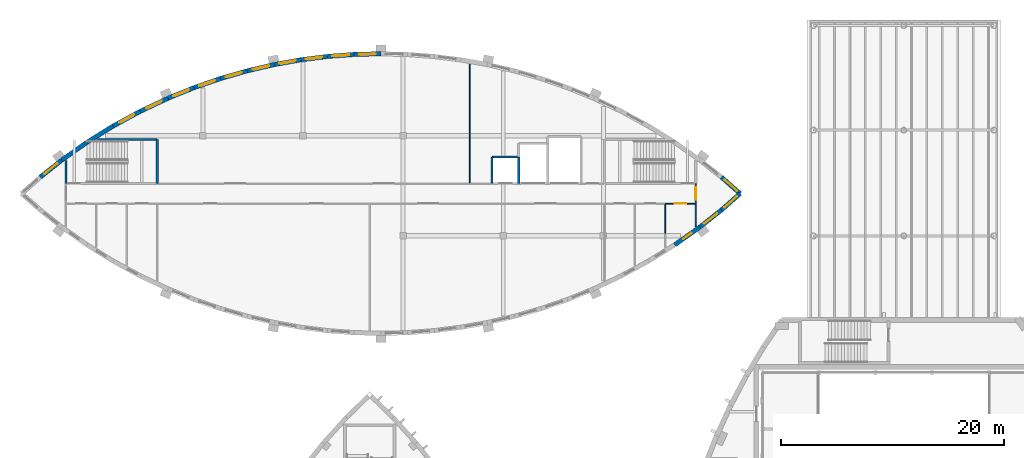
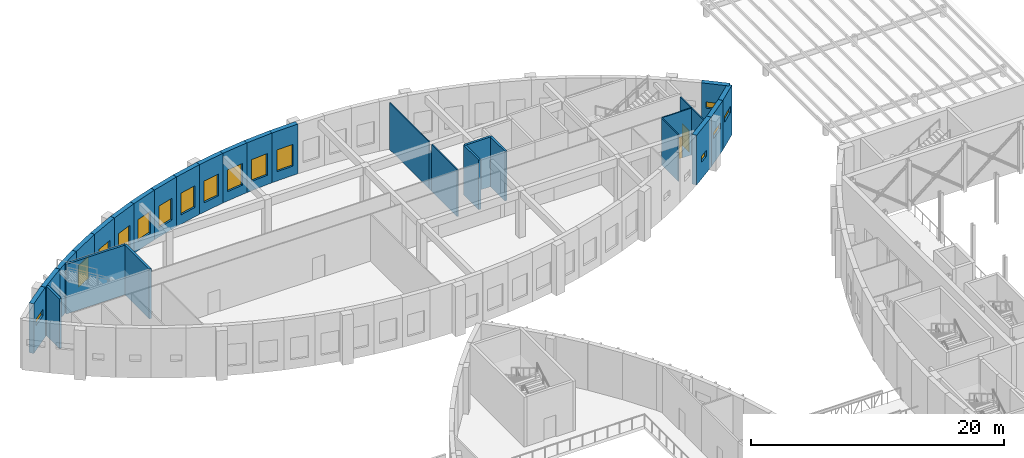
# One storey, part 67 of 93: 30 walls, 15 windows, 2 doors, 17 openings.
"""IFC4 building model written with IfcOpenShell, lengths in metres."""

from ifc_helpers import new_model, si_unit, direction, frame, frame_2d, origin, place, context, subcontext, project, spatial, rectangle, extrude, material, layer, layer_set, type_object, element, fill, save


model = new_model("IFC4")

# Units and contexts
model_context = context("Model", 3, precision=1e-05, world=origin(), true_north=direction((0.0, 1.0)))
body_context = subcontext(model_context, "Body", "Model", "MODEL_VIEW")
ifc_project = project(units=[si_unit("LENGTHUNIT", "METRE"), si_unit("AREAUNIT", "SQUARE_METRE"), si_unit("VOLUMEUNIT", "CUBIC_METRE"), si_unit("PLANEANGLEUNIT", "RADIAN"), si_unit("MASSUNIT", "GRAM", prefix="KILO")], contexts=[model_context])

# Site, building, storey
site_placement = place(None, origin())
site = spatial("IfcSite", under=ifc_project, at=site_placement, CompositionType="ELEMENT")
building_placement = place(site_placement, origin())
building = spatial("IfcBuilding", under=site, at=building_placement, Name="Tide Square Theatres", CompositionType="ELEMENT")
storey_placement = place(building_placement, frame((0.0, 0.0, 5.39990234375)))
storey = spatial("IfcBuildingStorey", under=building, at=storey_placement, Name="L01", CompositionType="ELEMENT", Elevation=5.39990234375)

# Walls
ifc_material_1 = material(Name="Gypsum board on steel studs", Category="steel")
ifc_layer_1 = layer(ifc_material_1, 0.10009765625)
ifc_layer_set_1 = layer_set([ifc_layer_1], Name="Gypsum board on steel studs")
wall_type_1 = type_object("IfcWallType", Name="Partition 100 thick", PredefinedType="PARTITIONING", material=ifc_layer_set_1)
wall_1_placement = place(storey_placement, frame((45.0, 109.4267578125, 0.0), z_axis=(0.0, 0.0, 1.0), x_axis=(0.0, -1.0, 0.0)))
element("IfcWall", 1, at=wall_1_placement, inside=storey, type_object=wall_type_1, Name="Scenery Workshops partition", PredefinedType="PARTITIONING", context=body_context, shape_type="SweptSolid", body=[
    extrude(rectangle(XDim=6.226806640625, YDim=0.10009765625, at=frame_2d((3.11328125, 0.0))), origin(), (0.0, 0.0, 1.0), 4.52001953125),
])
wall_2_placement = place(storey_placement, frame((45.0, 103.199951171875, 0.0), z_axis=(0.0, 0.0, 1.0), x_axis=(0.0, -1.0, 0.0)))
element("IfcWall", 2, at=wall_2_placement, inside=storey, type_object=wall_type_1, Name="Scenery Workshops partition", PredefinedType="PARTITIONING", context=body_context, shape_type="SweptSolid", body=[
    extrude(rectangle(XDim=0.39990234375, YDim=0.10009765625, at=frame_2d((0.199951171875, 0.0))), origin(), (0.0, 0.0, 1.0), 3.72021484375),
])
wall_3_placement = place(storey_placement, frame((45.0, 102.800048828125, 0.0), z_axis=(0.0, 0.0, 1.0), x_axis=(0.0, -1.0, 0.0)))
element("IfcWall", 3, at=wall_3_placement, inside=storey, type_object=wall_type_1, Name="Scenery Workshops partition", PredefinedType="PARTITIONING", context=body_context, shape_type="SweptSolid", body=[
    extrude(rectangle(XDim=4.070068359375, YDim=0.10009765625, at=frame_2d((2.03515625, 0.0))), origin(), (0.0, 0.0, 1.0), 4.52001953125),
])
wall_4_placement = place(storey_placement, frame((62.566650390625, 96.860107421875, 0.0), z_axis=(0.0, 0.0, 1.0), x_axis=(0.0, -1.0, 0.0)))
element("IfcWall", 4, at=wall_4_placement, inside=storey, type_object=wall_type_1, Name="Scenery Workshops partition", PredefinedType="PARTITIONING", context=body_context, shape_type="SweptSolid", body=[
    extrude(rectangle(XDim=2.66015625, YDim=0.10009765625, at=frame_2d((1.330078125, 0.0))), origin(), (0.0, 0.0, 1.0), 4.52001953125),
])

# Wall, opening, door
wall_5_placement = place(storey_placement, frame((65.300048828125, 96.89990234375, 0.0), z_axis=(0.0, 0.0, 1.0), x_axis=(-1.0, 0.0, 0.0)))
wall_5 = element("IfcWall", 5, at=wall_5_placement, inside=storey, type_object=wall_type_1, Name="Scenery Workshops partition", PredefinedType="PARTITIONING", context=body_context, shape_type="SweptSolid", body=[
    extrude(rectangle(XDim=2.7333984375, YDim=0.10009765625, at=frame_2d((1.36669921875, 0.0))), origin(), (0.0, 0.0, 1.0), 4.52001953125),
])
opening_1_placement = place(wall_5_placement, frame((0.86669921875, 0.0, 0.0)))
opening_1 = element("IfcOpeningElement", 6, at=opening_1_placement, cuts=wall_5, Name="Opening W1-06", PredefinedType="OPENING", context=body_context, shape_type="SweptSolid", body=[
    extrude(rectangle(XDim=1.0, YDim=2.10009765625, at=frame_2d((0.5, 1.050048828125))), frame((0.0, 0.06005859375, 0.0), z_axis=(0.0, -1.0, 0.0), x_axis=(1.0, 0.0, 0.0)), (0.0, 0.0, 1.0), 0.1201171875),
])
ifc_material_2 = material(Name="Hardwood timber", Category="wood")
door_type_1 = type_object("IfcDoorType", Name="Door 1000 x 2100 single leaf", OperationType="NOTDEFINED", PredefinedType="DOOR", material=ifc_material_2)
door_1_placement = place(opening_1_placement, origin())
door_1 = element("IfcDoor", 7, at=door_1_placement, inside=storey, type_object=door_type_1, Name="Scenery Workshops door W1-06 to Accessible WC E", OperationType="SINGLE_SWING_RIGHT", OverallHeight=2.10009765625, OverallWidth=1.0, PredefinedType="DOOR", context=body_context, shape_type="SweptSolid", body=[
    extrude(rectangle(XDim=1.0, YDim=2.10009765625, at=frame_2d((0.5, 1.050048828125))), frame((0.0, 0.02490234375, 0.0), z_axis=(0.0, -1.0, 0.0), x_axis=(1.0, 0.0, 0.0)), (0.0, 0.0, 1.0), 0.050048828125),
])
fill(opening_1, door_1)

# Wall
wall_6_placement = place(storey_placement, frame((65.300048828125, 96.8701171875, 0.0), z_axis=(0.0, 0.0, 1.0), x_axis=(0.0, -1.0, 0.0)))
element("IfcWall", 8, at=wall_6_placement, inside=storey, type_object=wall_type_1, Name="Scenery Workshops partition", PredefinedType="PARTITIONING", context=body_context, shape_type="SweptSolid", body=[
    extrude(rectangle(XDim=2.041015625, YDim=0.10009765625, at=frame_2d((1.0205078125, 0.0))), origin(), (0.0, 0.0, 1.0), 4.52001953125),
])

# Wall, opening, door
wall_7_placement = place(storey_placement, frame((65.300048828125, 98.669921875, 0.0), z_axis=(0.0, 0.0, 1.0), x_axis=(0.0, -1.0, 0.0)))
wall_7 = element("IfcWall", 9, at=wall_7_placement, inside=storey, type_object=wall_type_1, Name="Scenery Workshops partition", PredefinedType="PARTITIONING", context=body_context, shape_type="SweptSolid", body=[
    extrude(rectangle(XDim=1.77001953125, YDim=0.10009765625, at=frame_2d((0.885009765625, 0.0))), origin(), (0.0, 0.0, 1.0), 4.52001953125),
])
opening_2_placement = place(wall_7_placement, frame((0.320068359375, 0.0, 0.0)))
opening_2 = element("IfcOpeningElement", 10, at=opening_2_placement, cuts=wall_7, Name="Opening W1-08", PredefinedType="OPENING", context=body_context, shape_type="SweptSolid", body=[
    extrude(rectangle(XDim=1.10009765625, YDim=2.10009765625, at=frame_2d((0.550048828125, 1.050048828125))), frame((0.0, 0.06005859375, 0.0), z_axis=(0.0, -1.0, 0.0), x_axis=(1.0, 0.0, 0.0)), (0.0, 0.0, 1.0), 0.1201171875),
])
ifc_material_3 = material(Name="Painted steel", Category="steel")
door_type_2 = type_object("IfcDoorType", Name="Door 1100 x 2100 single leaf", OperationType="NOTDEFINED", PredefinedType="DOOR", material=ifc_material_3)
door_2_placement = place(opening_2_placement, origin())
door_2 = element("IfcDoor", 11, at=door_2_placement, inside=storey, type_object=door_type_2, Name="Scenery Workshops door W1-08 to Plant Room E", OperationType="SINGLE_SWING_RIGHT", OverallHeight=2.10009765625, OverallWidth=1.10009765625, PredefinedType="DOOR", context=body_context, shape_type="SweptSolid", body=[
    extrude(rectangle(XDim=1.10009765625, YDim=2.10009765625, at=frame_2d((0.550048828125, 1.050048828125))), frame((0.0, 0.02490234375, 0.0), z_axis=(0.0, -1.0, 0.0), x_axis=(1.0, 0.0, 0.0)), (0.0, 0.0, 1.0), 0.050048828125),
])
fill(opening_2, door_2)

# Wall, opening, window
ifc_material_4 = material(Name="Concrete C40", Category="concrete")
ifc_layer_2 = layer(ifc_material_4, 0.39990234375)
ifc_layer_set_2 = layer_set([ifc_layer_2], Name="Concrete C40")
wall_type_2 = type_object("IfcWallType", Name="RC curved wall 400 thick", PredefinedType="SOLIDWALL", material=ifc_layer_set_2)
wall_8_placement = place(storey_placement, frame((63.415283203125, 93.193115234375, 0.0), z_axis=(0.0, 0.0, 1.0), x_axis=(0.817028877428, 0.576596751161, 0.0)))
wall_8 = element("IfcWall", 12, at=wall_8_placement, inside=storey, type_object=wall_type_2, Name="Scenery Workshops perimeter wall 025", PredefinedType="SOLIDWALL", context=body_context, shape_type="SweptSolid", body=[
    extrude(rectangle(XDim=2.772216796875, YDim=0.39990234375, at=frame_2d((1.38623046875, 0.0))), origin(), (0.0, 0.0, 1.0), 4.800048828125),
])
opening_3_placement = place(wall_8_placement, frame((0.93603515625, 0.0, 1.60009765625)))
opening_3 = element("IfcOpeningElement", 13, at=opening_3_placement, cuts=wall_8, Name="Opening WN-12", PredefinedType="OPENING", context=body_context, shape_type="SweptSolid", body=[
    extrude(rectangle(XDim=0.89990234375, YDim=0.60009765625, at=frame_2d((0.449951171875, 0.300048828125))), frame((0.0, 0.2099609375, 0.0), z_axis=(0.0, -1.0, 0.0), x_axis=(1.0, 0.0, 0.0)), (0.0, 0.0, 1.0), 0.419921875),
])
ifc_material_5 = material(Name="Aluminium with laminated glass", Category="aluminium")
window_type_1 = type_object("IfcWindowType", Name="Window 900 x 600", PartitioningType="SINGLE_PANEL", PredefinedType="WINDOW", material=ifc_material_5)
window_1_placement = place(opening_3_placement, origin())
window_1 = element("IfcWindow", 14, at=window_1_placement, inside=storey, type_object=window_type_1, Name="Scenery Workshops window L01-66", OverallHeight=0.60009765625, OverallWidth=0.89990234375, PartitioningType="SINGLE_PANEL", PredefinedType="WINDOW", context=body_context, shape_type="SweptSolid", body=[
    extrude(rectangle(XDim=0.89990234375, YDim=0.60009765625, at=frame_2d((0.449951171875, 0.300048828125))), frame((0.0, 0.030029296875, 0.0), z_axis=(0.0, -1.0, 0.0), x_axis=(1.0, 0.0, 0.0)), (0.0, 0.0, 1.0), 0.06005859375),
])
fill(opening_3, window_1)

wall_9_placement = place(storey_placement, frame((65.68017578125, 94.79150390625, 0.0), z_axis=(0.0, 0.0, 1.0), x_axis=(0.784278812541, 0.620408530082, 0.0)))
wall_9 = element("IfcWall", 15, at=wall_9_placement, inside=storey, type_object=wall_type_2, Name="Scenery Workshops perimeter wall 026", PredefinedType="SOLIDWALL", context=body_context, shape_type="SweptSolid", body=[
    extrude(rectangle(XDim=2.464111328125, YDim=0.39990234375, at=frame_2d((1.23193359375, 0.0))), origin(), (0.0, 0.0, 1.0), 4.800048828125),
])
opening_4_placement = place(wall_9_placement, frame((0.48193359375, 0.0, 2.39990234375)))
opening_4 = element("IfcOpeningElement", 16, at=opening_4_placement, cuts=wall_9, Name="Opening WN-05", PredefinedType="OPENING", context=body_context, shape_type="SweptSolid", body=[
    extrude(rectangle(XDim=1.5, YDim=0.60009765625, at=frame_2d((0.75, 0.300048828125))), frame((0.0, 0.2099609375, 0.0), z_axis=(0.0, -1.0, 0.0), x_axis=(1.0, 0.0, 0.0)), (0.0, 0.0, 1.0), 0.419921875),
])
ifc_material_6 = material(Name="Aluminium with laminated glass", Category="aluminium")
window_type_2 = type_object("IfcWindowType", Name="Window 1500 x 600", PartitioningType="SINGLE_PANEL", PredefinedType="WINDOW", material=ifc_material_6)
window_2_placement = place(opening_4_placement, origin())
window_2 = element("IfcWindow", 17, at=window_2_placement, inside=storey, type_object=window_type_2, Name="Scenery Workshops window L01-67", OverallHeight=0.60009765625, OverallWidth=1.5, PartitioningType="SINGLE_PANEL", PredefinedType="WINDOW", context=body_context, shape_type="SweptSolid", body=[
    extrude(rectangle(XDim=1.5, YDim=0.60009765625, at=frame_2d((0.75, 0.300048828125))), frame((0.0, 0.030029296875, 0.0), z_axis=(0.0, -1.0, 0.0), x_axis=(1.0, 0.0, 0.0)), (0.0, 0.0, 1.0), 0.06005859375),
])
fill(opening_4, window_2)

wall_10_placement = place(storey_placement, frame((67.61279296875, 96.3203125, 0.0), z_axis=(0.0, 0.0, 1.0), x_axis=(0.751212351098, 0.660060605973, 0.0)))
wall_10 = element("IfcWall", 18, at=wall_10_placement, inside=storey, type_object=wall_type_2, Name="Scenery Workshops perimeter wall 027", PredefinedType="SOLIDWALL", context=body_context, shape_type="SweptSolid", body=[
    extrude(rectangle(XDim=2.24169921875, YDim=0.39990234375, at=frame_2d((1.120849609375, 0.0))), origin(), (0.0, 0.0, 1.0), 4.800048828125),
])
opening_5_placement = place(wall_10_placement, frame((0.370849609375, 0.0, 2.39990234375)))
opening_5 = element("IfcOpeningElement", 19, at=opening_5_placement, cuts=wall_10, Name="Opening WN-05", PredefinedType="OPENING", context=body_context, shape_type="SweptSolid", body=[
    extrude(rectangle(XDim=1.5, YDim=0.60009765625, at=frame_2d((0.75, 0.300048828125))), frame((0.0, 0.2099609375, 0.0), z_axis=(0.0, -1.0, 0.0), x_axis=(1.0, 0.0, 0.0)), (0.0, 0.0, 1.0), 0.419921875),
])
window_3_placement = place(opening_5_placement, origin())
window_3 = element("IfcWindow", 20, at=window_3_placement, inside=storey, type_object=window_type_2, Name="Scenery Workshops window L01-68", OverallHeight=0.60009765625, OverallWidth=1.5, PartitioningType="SINGLE_PANEL", PredefinedType="WINDOW", context=body_context, shape_type="SweptSolid", body=[
    extrude(rectangle(XDim=1.5, YDim=0.60009765625, at=frame_2d((0.75, 0.300048828125))), frame((0.0, 0.030029296875, 0.0), z_axis=(0.0, -1.0, 0.0), x_axis=(1.0, 0.0, 0.0)), (0.0, 0.0, 1.0), 0.06005859375),
])
fill(opening_5, window_3)

wall_11_placement = place(storey_placement, frame((69.296875, 97.800048828125, 0.0), z_axis=(0.0, 0.0, 1.0), x_axis=(-0.751212351098, 0.660060605973, 0.0)))
wall_11 = element("IfcWall", 21, at=wall_11_placement, inside=storey, type_object=wall_type_2, Name="Scenery Workshops perimeter wall 028", PredefinedType="SOLIDWALL", context=body_context, shape_type="SweptSolid", body=[
    extrude(rectangle(XDim=2.24169921875, YDim=0.39990234375, at=frame_2d((1.120849609375, 0.0))), origin(), (0.0, 0.0, 1.0), 4.800048828125),
])
opening_6_placement = place(wall_11_placement, frame((0.370849609375, 0.0, 2.39990234375)))
opening_6 = element("IfcOpeningElement", 22, at=opening_6_placement, cuts=wall_11, Name="Opening WN-05", PredefinedType="OPENING", context=body_context, shape_type="SweptSolid", body=[
    extrude(rectangle(XDim=1.5, YDim=0.60009765625, at=frame_2d((0.75, 0.300048828125))), frame((0.0, 0.2099609375, 0.0), z_axis=(0.0, -1.0, 0.0), x_axis=(1.0, 0.0, 0.0)), (0.0, 0.0, 1.0), 0.419921875),
])
window_4_placement = place(opening_6_placement, origin())
window_4 = element("IfcWindow", 23, at=window_4_placement, inside=storey, type_object=window_type_2, Name="Scenery Workshops window L01-69", OverallHeight=0.60009765625, OverallWidth=1.5, PartitioningType="SINGLE_PANEL", PredefinedType="WINDOW", context=body_context, shape_type="SweptSolid", body=[
    extrude(rectangle(XDim=1.5, YDim=0.60009765625, at=frame_2d((0.75, 0.300048828125))), frame((0.0, 0.030029296875, 0.0), z_axis=(0.0, -1.0, 0.0), x_axis=(1.0, 0.0, 0.0)), (0.0, 0.0, 1.0), 0.06005859375),
])
fill(opening_6, window_4)

wall_12_placement = place(storey_placement, frame((37.0, 110.36865234375, 0.0), z_axis=(0.0, 0.0, 1.0), x_axis=(-0.999683321759, -0.025164582196, 0.0)))
wall_12 = element("IfcWall", 24, at=wall_12_placement, inside=storey, type_object=wall_type_2, Name="Scenery Workshops perimeter wall 042", PredefinedType="SOLIDWALL", context=body_context, shape_type="SweptSolid", body=[
    extrude(rectangle(XDim=2.406005859375, YDim=0.39990234375, at=frame_2d((1.203125, 0.0))), origin(), (0.0, 0.0, 1.0), 4.800048828125),
])
opening_7_placement = place(wall_12_placement, frame((0.452880859375, 0.0, 0.89990234375)))
opening_7 = element("IfcOpeningElement", 25, at=opening_7_placement, cuts=wall_12, Name="Opening WN-01", PredefinedType="OPENING", context=body_context, shape_type="SweptSolid", body=[
    extrude(rectangle(XDim=1.5, YDim=2.10009765625, at=frame_2d((0.75, 1.050048828125))), frame((0.0, 0.2099609375, 0.0), z_axis=(0.0, -1.0, 0.0), x_axis=(1.0, 0.0, 0.0)), (0.0, 0.0, 1.0), 0.419921875),
])
ifc_material_7 = material(Name="Aluminium with laminated glass", Category="aluminium")
window_type_3 = type_object("IfcWindowType", Name="Window 1500 x 2100", PartitioningType="SINGLE_PANEL", PredefinedType="WINDOW", material=ifc_material_7)
window_5_placement = place(opening_7_placement, origin())
window_5 = element("IfcWindow", 26, at=window_5_placement, inside=storey, type_object=window_type_3, Name="Scenery Workshops window L01-80", OverallHeight=2.10009765625, OverallWidth=1.5, PartitioningType="SINGLE_PANEL", PredefinedType="WINDOW", context=body_context, shape_type="SweptSolid", body=[
    extrude(rectangle(XDim=1.5, YDim=2.10009765625, at=frame_2d((0.75, 1.050048828125))), frame((0.0, 0.030029296875, 0.0), z_axis=(0.0, -1.0, 0.0), x_axis=(1.0, 0.0, 0.0)), (0.0, 0.0, 1.0), 0.06005859375),
])
fill(opening_7, window_5)

wall_13_placement = place(storey_placement, frame((34.5947265625, 110.30810546875, 0.0), z_axis=(0.0, 0.0, 1.0), x_axis=(-0.997153910364, -0.075392831525, 0.0)))
wall_13 = element("IfcWall", 27, at=wall_13_placement, inside=storey, type_object=wall_type_2, Name="Scenery Workshops perimeter wall 043", PredefinedType="SOLIDWALL", context=body_context, shape_type="SweptSolid", body=[
    extrude(rectangle(XDim=2.406005859375, YDim=0.39990234375, at=frame_2d((1.203125, 0.0))), origin(), (0.0, 0.0, 1.0), 4.800048828125),
])
opening_8_placement = place(wall_13_placement, frame((0.452880859375, 0.0, 0.89990234375)))
opening_8 = element("IfcOpeningElement", 28, at=opening_8_placement, cuts=wall_13, Name="Opening WN-01", PredefinedType="OPENING", context=body_context, shape_type="SweptSolid", body=[
    extrude(rectangle(XDim=1.5, YDim=2.10009765625, at=frame_2d((0.75, 1.050048828125))), frame((0.0, 0.2099609375, 0.0), z_axis=(0.0, -1.0, 0.0), x_axis=(1.0, 0.0, 0.0)), (0.0, 0.0, 1.0), 0.419921875),
])
window_6_placement = place(opening_8_placement, origin())
window_6 = element("IfcWindow", 29, at=window_6_placement, inside=storey, type_object=window_type_3, Name="Scenery Workshops window L01-81", OverallHeight=2.10009765625, OverallWidth=1.5, PartitioningType="SINGLE_PANEL", PredefinedType="WINDOW", context=body_context, shape_type="SweptSolid", body=[
    extrude(rectangle(XDim=1.5, YDim=2.10009765625, at=frame_2d((0.75, 1.050048828125))), frame((0.0, 0.030029296875, 0.0), z_axis=(0.0, -1.0, 0.0), x_axis=(1.0, 0.0, 0.0)), (0.0, 0.0, 1.0), 0.06005859375),
])
fill(opening_8, window_6)

wall_14_placement = place(storey_placement, frame((32.195556640625, 110.126708984375, 0.0), z_axis=(0.0, 0.0, 1.0), x_axis=(-0.99208939311, -0.125533406227, 0.0)))
wall_14 = element("IfcWall", 30, at=wall_14_placement, inside=storey, type_object=wall_type_2, Name="Scenery Workshops perimeter wall 044", PredefinedType="SOLIDWALL", context=body_context, shape_type="SweptSolid", body=[
    extrude(rectangle(XDim=2.40576171875, YDim=0.39990234375, at=frame_2d((1.202880859375, 0.0))), origin(), (0.0, 0.0, 1.0), 4.800048828125),
])
opening_9_placement = place(wall_14_placement, frame((0.452880859375, 0.0, 0.89990234375)))
opening_9 = element("IfcOpeningElement", 31, at=opening_9_placement, cuts=wall_14, Name="Opening WN-01", PredefinedType="OPENING", context=body_context, shape_type="SweptSolid", body=[
    extrude(rectangle(XDim=1.5, YDim=2.10009765625, at=frame_2d((0.75, 1.050048828125))), frame((0.0, 0.2099609375, 0.0), z_axis=(0.0, -1.0, 0.0), x_axis=(1.0, 0.0, 0.0)), (0.0, 0.0, 1.0), 0.419921875),
])
window_7_placement = place(opening_9_placement, origin())
window_7 = element("IfcWindow", 32, at=window_7_placement, inside=storey, type_object=window_type_3, Name="Scenery Workshops window L01-82", OverallHeight=2.10009765625, OverallWidth=1.5, PartitioningType="SINGLE_PANEL", PredefinedType="WINDOW", context=body_context, shape_type="SweptSolid", body=[
    extrude(rectangle(XDim=1.5, YDim=2.10009765625, at=frame_2d((0.75, 1.050048828125))), frame((0.0, 0.030029296875, 0.0), z_axis=(0.0, -1.0, 0.0), x_axis=(1.0, 0.0, 0.0)), (0.0, 0.0, 1.0), 0.06005859375),
])
fill(opening_9, window_7)

wall_15_placement = place(storey_placement, frame((29.808837890625, 109.82470703125, 0.0), z_axis=(0.0, 0.0, 1.0), x_axis=(-0.984524011381, -0.175249738987, 0.0)))
wall_15 = element("IfcWall", 33, at=wall_15_placement, inside=storey, type_object=wall_type_2, Name="Scenery Workshops perimeter wall 045", PredefinedType="SOLIDWALL", context=body_context, shape_type="SweptSolid", body=[
    extrude(rectangle(XDim=2.406005859375, YDim=0.39990234375, at=frame_2d((1.203125, 0.0))), origin(), (0.0, 0.0, 1.0), 4.800048828125),
])
opening_10_placement = place(wall_15_placement, frame((0.452880859375, 0.0, 0.89990234375)))
opening_10 = element("IfcOpeningElement", 34, at=opening_10_placement, cuts=wall_15, Name="Opening WN-01", PredefinedType="OPENING", context=body_context, shape_type="SweptSolid", body=[
    extrude(rectangle(XDim=1.5, YDim=2.10009765625, at=frame_2d((0.75, 1.050048828125))), frame((0.0, 0.2099609375, 0.0), z_axis=(0.0, -1.0, 0.0), x_axis=(1.0, 0.0, 0.0)), (0.0, 0.0, 1.0), 0.419921875),
])
window_8_placement = place(opening_10_placement, origin())
window_8 = element("IfcWindow", 35, at=window_8_placement, inside=storey, type_object=window_type_3, Name="Scenery Workshops window L01-83", OverallHeight=2.10009765625, OverallWidth=1.5, PartitioningType="SINGLE_PANEL", PredefinedType="WINDOW", context=body_context, shape_type="SweptSolid", body=[
    extrude(rectangle(XDim=1.5, YDim=2.10009765625, at=frame_2d((0.75, 1.050048828125))), frame((0.0, 0.030029296875, 0.0), z_axis=(0.0, -1.0, 0.0), x_axis=(1.0, 0.0, 0.0)), (0.0, 0.0, 1.0), 0.06005859375),
])
fill(opening_10, window_8)

wall_16_placement = place(storey_placement, frame((27.440185546875, 109.403076171875, 0.0), z_axis=(0.0, 0.0, 1.0), x_axis=(-0.974189274843, -0.225732710925, 0.0)))
wall_16 = element("IfcWall", 36, at=wall_16_placement, inside=storey, type_object=wall_type_2, Name="Scenery Workshops perimeter wall 046", PredefinedType="SOLIDWALL", context=body_context, shape_type="SweptSolid", body=[
    extrude(rectangle(XDim=2.511474609375, YDim=0.39990234375, at=frame_2d((1.255859375, 0.0))), origin(), (0.0, 0.0, 1.0), 4.800048828125),
])
opening_11_placement = place(wall_16_placement, frame((0.505615234375, 0.0, 0.89990234375)))
opening_11 = element("IfcOpeningElement", 37, at=opening_11_placement, cuts=wall_16, Name="Opening WN-01", PredefinedType="OPENING", context=body_context, shape_type="SweptSolid", body=[
    extrude(rectangle(XDim=1.5, YDim=2.10009765625, at=frame_2d((0.75, 1.050048828125))), frame((0.0, 0.2099609375, 0.0), z_axis=(0.0, -1.0, 0.0), x_axis=(1.0, 0.0, 0.0)), (0.0, 0.0, 1.0), 0.419921875),
])
window_9_placement = place(opening_11_placement, origin())
window_9 = element("IfcWindow", 38, at=window_9_placement, inside=storey, type_object=window_type_3, Name="Scenery Workshops window L01-84", OverallHeight=2.10009765625, OverallWidth=1.5, PartitioningType="SINGLE_PANEL", PredefinedType="WINDOW", context=body_context, shape_type="SweptSolid", body=[
    extrude(rectangle(XDim=1.5, YDim=2.10009765625, at=frame_2d((0.75, 1.050048828125))), frame((0.0, 0.030029296875, 0.0), z_axis=(0.0, -1.0, 0.0), x_axis=(1.0, 0.0, 0.0)), (0.0, 0.0, 1.0), 0.06005859375),
])
fill(opening_11, window_9)

wall_17_placement = place(storey_placement, frame((24.99365234375, 108.836181640625, 0.0), z_axis=(0.0, 0.0, 1.0), x_axis=(-0.961008605775, -0.276518461637, 0.0)))
wall_17 = element("IfcWall", 39, at=wall_17_placement, inside=storey, type_object=wall_type_2, Name="Scenery Workshops perimeter wall 047", PredefinedType="SOLIDWALL", context=body_context, shape_type="SweptSolid", body=[
    extrude(rectangle(XDim=2.510986328125, YDim=0.39990234375, at=frame_2d((1.25537109375, 0.0))), origin(), (0.0, 0.0, 1.0), 4.800048828125),
])
opening_12_placement = place(wall_17_placement, frame((0.505615234375, 0.0, 0.89990234375)))
opening_12 = element("IfcOpeningElement", 40, at=opening_12_placement, cuts=wall_17, Name="Opening WN-01", PredefinedType="OPENING", context=body_context, shape_type="SweptSolid", body=[
    extrude(rectangle(XDim=1.5, YDim=2.10009765625, at=frame_2d((0.75, 1.050048828125))), frame((0.0, 0.2099609375, 0.0), z_axis=(0.0, -1.0, 0.0), x_axis=(1.0, 0.0, 0.0)), (0.0, 0.0, 1.0), 0.419921875),
])
window_10_placement = place(opening_12_placement, origin())
window_10 = element("IfcWindow", 41, at=window_10_placement, inside=storey, type_object=window_type_3, Name="Scenery Workshops window L01-85", OverallHeight=2.10009765625, OverallWidth=1.5, PartitioningType="SINGLE_PANEL", PredefinedType="WINDOW", context=body_context, shape_type="SweptSolid", body=[
    extrude(rectangle(XDim=1.5, YDim=2.10009765625, at=frame_2d((0.75, 1.050048828125))), frame((0.0, 0.030029296875, 0.0), z_axis=(0.0, -1.0, 0.0), x_axis=(1.0, 0.0, 0.0)), (0.0, 0.0, 1.0), 0.06005859375),
])
fill(opening_12, window_10)

wall_18_placement = place(storey_placement, frame((22.58056640625, 108.141845703125, 0.0), z_axis=(0.0, 0.0, 1.0), x_axis=(-0.945175475032, -0.326562890417, 0.0)))
wall_18 = element("IfcWall", 42, at=wall_18_placement, inside=storey, type_object=wall_type_2, Name="Scenery Workshops perimeter wall 048", PredefinedType="SOLIDWALL", context=body_context, shape_type="SweptSolid", body=[
    extrude(rectangle(XDim=2.51123046875, YDim=0.39990234375, at=frame_2d((1.255615234375, 0.0))), origin(), (0.0, 0.0, 1.0), 4.800048828125),
])
opening_13_placement = place(wall_18_placement, frame((0.505615234375, 0.0, 0.89990234375)))
opening_13 = element("IfcOpeningElement", 43, at=opening_13_placement, cuts=wall_18, Name="Opening WN-01", PredefinedType="OPENING", context=body_context, shape_type="SweptSolid", body=[
    extrude(rectangle(XDim=1.5, YDim=2.10009765625, at=frame_2d((0.75, 1.050048828125))), frame((0.0, 0.2099609375, 0.0), z_axis=(0.0, -1.0, 0.0), x_axis=(1.0, 0.0, 0.0)), (0.0, 0.0, 1.0), 0.419921875),
])
window_11_placement = place(opening_13_placement, origin())
window_11 = element("IfcWindow", 44, at=window_11_placement, inside=storey, type_object=window_type_3, Name="Scenery Workshops window L01-86", OverallHeight=2.10009765625, OverallWidth=1.5, PartitioningType="SINGLE_PANEL", PredefinedType="WINDOW", context=body_context, shape_type="SweptSolid", body=[
    extrude(rectangle(XDim=1.5, YDim=2.10009765625, at=frame_2d((0.75, 1.050048828125))), frame((0.0, 0.030029296875, 0.0), z_axis=(0.0, -1.0, 0.0), x_axis=(1.0, 0.0, 0.0)), (0.0, 0.0, 1.0), 0.06005859375),
])
fill(opening_13, window_11)

wall_19_placement = place(storey_placement, frame((20.20703125, 107.32177734375, 0.0), z_axis=(0.0, 0.0, 1.0), x_axis=(-0.926688932252, -0.375829246921, 0.0)))
wall_19 = element("IfcWall", 45, at=wall_19_placement, inside=storey, type_object=wall_type_2, Name="Scenery Workshops perimeter wall 049", PredefinedType="SOLIDWALL", context=body_context, shape_type="SweptSolid", body=[
    extrude(rectangle(XDim=2.5107421875, YDim=0.39990234375, at=frame_2d((1.25537109375, 0.0))), origin(), (0.0, 0.0, 1.0), 4.800048828125),
])
opening_14_placement = place(wall_19_placement, frame((0.50537109375, 0.0, 0.89990234375)))
opening_14 = element("IfcOpeningElement", 46, at=opening_14_placement, cuts=wall_19, Name="Opening WN-01", PredefinedType="OPENING", context=body_context, shape_type="SweptSolid", body=[
    extrude(rectangle(XDim=1.5, YDim=2.10009765625, at=frame_2d((0.75, 1.050048828125))), frame((0.0, 0.2099609375, 0.0), z_axis=(0.0, -1.0, 0.0), x_axis=(1.0, 0.0, 0.0)), (0.0, 0.0, 1.0), 0.419921875),
])
window_12_placement = place(opening_14_placement, origin())
window_12 = element("IfcWindow", 47, at=window_12_placement, inside=storey, type_object=window_type_3, Name="Scenery Workshops window L01-87", OverallHeight=2.10009765625, OverallWidth=1.5, PartitioningType="SINGLE_PANEL", PredefinedType="WINDOW", context=body_context, shape_type="SweptSolid", body=[
    extrude(rectangle(XDim=1.5, YDim=2.10009765625, at=frame_2d((0.75, 1.050048828125))), frame((0.0, 0.030029296875, 0.0), z_axis=(0.0, -1.0, 0.0), x_axis=(1.0, 0.0, 0.0)), (0.0, 0.0, 1.0), 0.06005859375),
])
fill(opening_14, window_12)

wall_20_placement = place(storey_placement, frame((17.88037109375, 106.378173828125, 0.0), z_axis=(0.0, 0.0, 1.0), x_axis=(-0.904561064695, -0.42634408667, 0.0)))
wall_20 = element("IfcWall", 48, at=wall_20_placement, inside=storey, type_object=wall_type_2, Name="Scenery Workshops perimeter wall 050", PredefinedType="SOLIDWALL", context=body_context, shape_type="SweptSolid", body=[
    extrude(rectangle(XDim=2.772216796875, YDim=0.39990234375, at=frame_2d((1.38623046875, 0.0))), origin(), (0.0, 0.0, 1.0), 4.800048828125),
])
opening_15_placement = place(wall_20_placement, frame((0.635986328125, 0.0, 0.89990234375)))
opening_15 = element("IfcOpeningElement", 49, at=opening_15_placement, cuts=wall_20, Name="Opening WN-01", PredefinedType="OPENING", context=body_context, shape_type="SweptSolid", body=[
    extrude(rectangle(XDim=1.5, YDim=2.10009765625, at=frame_2d((0.75, 1.050048828125))), frame((0.0, 0.2099609375, 0.0), z_axis=(0.0, -1.0, 0.0), x_axis=(1.0, 0.0, 0.0)), (0.0, 0.0, 1.0), 0.419921875),
])
window_13_placement = place(opening_15_placement, origin())
window_13 = element("IfcWindow", 50, at=window_13_placement, inside=storey, type_object=window_type_3, Name="Scenery Workshops window L01-88", OverallHeight=2.10009765625, OverallWidth=1.5, PartitioningType="SINGLE_PANEL", PredefinedType="WINDOW", context=body_context, shape_type="SweptSolid", body=[
    extrude(rectangle(XDim=1.5, YDim=2.10009765625, at=frame_2d((0.75, 1.050048828125))), frame((0.0, 0.030029296875, 0.0), z_axis=(0.0, -1.0, 0.0), x_axis=(1.0, 0.0, 0.0)), (0.0, 0.0, 1.0), 0.06005859375),
])
fill(opening_15, window_13)

wall_21_placement = place(storey_placement, frame((15.372802734375, 105.1962890625, 0.0), z_axis=(0.0, 0.0, 1.0), x_axis=(-0.878255502871, -0.478191668347, 0.0)))
wall_21 = element("IfcWall", 51, at=wall_21_placement, inside=storey, type_object=wall_type_2, Name="Scenery Workshops perimeter wall 051", PredefinedType="SOLIDWALL", context=body_context, shape_type="SweptSolid", body=[
    extrude(rectangle(XDim=2.771728515625, YDim=0.39990234375, at=frame_2d((1.3857421875, 0.0))), origin(), (0.0, 0.0, 1.0), 4.800048828125),
])
opening_16_placement = place(wall_21_placement, frame((0.635986328125, 0.0, 0.89990234375)))
opening_16 = element("IfcOpeningElement", 52, at=opening_16_placement, cuts=wall_21, Name="Opening WN-01", PredefinedType="OPENING", context=body_context, shape_type="SweptSolid", body=[
    extrude(rectangle(XDim=1.5, YDim=2.10009765625, at=frame_2d((0.75, 1.050048828125))), frame((0.0, 0.2099609375, 0.0), z_axis=(0.0, -1.0, 0.0), x_axis=(1.0, 0.0, 0.0)), (0.0, 0.0, 1.0), 0.419921875),
])
window_14_placement = place(opening_16_placement, origin())
window_14 = element("IfcWindow", 53, at=window_14_placement, inside=storey, type_object=window_type_3, Name="Scenery Workshops window L01-89", OverallHeight=2.10009765625, OverallWidth=1.5, PartitioningType="SINGLE_PANEL", PredefinedType="WINDOW", context=body_context, shape_type="SweptSolid", body=[
    extrude(rectangle(XDim=1.5, YDim=2.10009765625, at=frame_2d((0.75, 1.050048828125))), frame((0.0, 0.030029296875, 0.0), z_axis=(0.0, -1.0, 0.0), x_axis=(1.0, 0.0, 0.0)), (0.0, 0.0, 1.0), 0.06005859375),
])
fill(opening_16, window_14)

# Walls
for number, where, z_axis, x_axis, name in (
    (54, (12.9384765625, 103.870849609375, 0.0), (0.0, 0.0, 1.0), (-0.84912946359, -0.528184772653, 0.0), "Scenery Workshops perimeter wall 052"),
    (55, (10.584716796875, 102.40673828125, 0.0), (0.0, 0.0, 1.0), (-0.817070367038, -0.57653795652, 0.0), "Scenery Workshops perimeter wall 053"),
):
    element("IfcWall", number, at=place(storey_placement, frame(where, z_axis=z_axis, x_axis=x_axis)), inside=storey, type_object=wall_type_2, Name=name, PredefinedType="SOLIDWALL", context=body_context, shape_type="SweptSolid", body=[
        extrude(rectangle(XDim=2.77197265625, YDim=0.39990234375, at=frame_2d((1.385986328125, 0.0))), origin(), (0.0, 0.0, 1.0), 4.800048828125),
    ])

# Wall, opening, window
wall_22_placement = place(storey_placement, frame((8.31982421875, 100.80859375, 0.0), z_axis=(0.0, 0.0, 1.0), x_axis=(-0.784278812541, -0.620408530082, 0.0)))
wall_22 = element("IfcWall", 56, at=wall_22_placement, inside=storey, type_object=wall_type_2, Name="Scenery Workshops perimeter wall 054", PredefinedType="SOLIDWALL", context=body_context, shape_type="SweptSolid", body=[
    extrude(rectangle(XDim=2.464111328125, YDim=0.39990234375, at=frame_2d((1.23193359375, 0.0))), origin(), (0.0, 0.0, 1.0), 4.800048828125),
])
opening_17_placement = place(wall_22_placement, frame((0.48193359375, 0.0, 2.39990234375)))
opening_17 = element("IfcOpeningElement", 57, at=opening_17_placement, cuts=wall_22, Name="Opening WN-05", PredefinedType="OPENING", context=body_context, shape_type="SweptSolid", body=[
    extrude(rectangle(XDim=1.5, YDim=0.60009765625, at=frame_2d((0.75, 0.300048828125))), frame((0.0, 0.2099609375, 0.0), z_axis=(0.0, -1.0, 0.0), x_axis=(1.0, 0.0, 0.0)), (0.0, 0.0, 1.0), 0.419921875),
])
window_15_placement = place(opening_17_placement, origin())
window_15 = element("IfcWindow", 58, at=window_15_placement, inside=storey, type_object=window_type_2, Name="Scenery Workshops window L01-90", OverallHeight=0.60009765625, OverallWidth=1.5, PartitioningType="SINGLE_PANEL", PredefinedType="WINDOW", context=body_context, shape_type="SweptSolid", body=[
    extrude(rectangle(XDim=1.5, YDim=0.60009765625, at=frame_2d((0.75, 0.300048828125))), frame((0.0, 0.030029296875, 0.0), z_axis=(0.0, -1.0, 0.0), x_axis=(1.0, 0.0, 0.0)), (0.0, 0.0, 1.0), 0.06005859375),
])
fill(opening_17, window_15)

# Walls
ifc_material_8 = material(Name="Concrete C40", Category="concrete")
ifc_layer_3 = layer(ifc_material_8, 0.199951171875)
ifc_layer_set_3 = layer_set([ifc_layer_3], Name="Concrete C40")
wall_type_3 = type_object("IfcWallType", Name="RC shear wall 200 thick", PredefinedType="SHEAR", material=ifc_layer_set_3)
wall_23_placement = place(storey_placement, frame((11.448974609375, 102.64990234375, 0.0), z_axis=(0.0, 0.0, 1.0), x_axis=(1.0, 0.0, 0.0)))
element("IfcWall", 59, at=wall_23_placement, inside=storey, type_object=wall_type_3, Name="Scenery Workshops stair enclosure wall", PredefinedType="SHEAR", context=body_context, shape_type="SweptSolid", body=[
    extrude(rectangle(XDim=5.450927734375, YDim=0.199951171875, at=frame_2d((2.7255859375, 0.0))), origin(), (0.0, 0.0, 1.0), 4.800048828125),
])
wall_24_placement = place(storey_placement, frame((16.89990234375, 102.64990234375, 0.0), z_axis=(0.0, 0.0, 1.0), x_axis=(0.0, -1.0, 0.0)))
element("IfcWall", 60, at=wall_24_placement, inside=storey, type_object=wall_type_3, Name="Scenery Workshops stair enclosure wall", PredefinedType="SHEAR", context=body_context, shape_type="SweptSolid", body=[
    extrude(rectangle(XDim=3.949951171875, YDim=0.199951171875, at=frame_2d((1.97509765625, 0.0))), origin(), (0.0, 0.0, 1.0), 4.800048828125),
])
wall_25_placement = place(storey_placement, frame((8.699951171875, 98.699951171875, 0.0), z_axis=(0.0, 0.0, 1.0), x_axis=(0.0, 1.0, 0.0)))
element("IfcWall", 61, at=wall_25_placement, inside=storey, type_object=wall_type_3, Name="Scenery Workshops stair enclosure wall", PredefinedType="SHEAR", context=body_context, shape_type="SweptSolid", body=[
    extrude(rectangle(XDim=2.07080078125, YDim=0.199951171875, at=frame_2d((1.035400390625, 0.0))), origin(), (0.0, 0.0, 1.0), 4.800048828125),
])
for number, where, z_axis, x_axis, name in (
    (62, (49.39990234375, 101.10009765625, 0.0), (0.0, 0.0, 1.0), (0.0, -1.0, 0.0), "Scenery Workshops lift shaft wall"),
    (63, (47.0, 98.699951171875, 0.0), (0.0, 0.0, 1.0), (0.0, 1.0, 0.0), "Scenery Workshops lift shaft wall"),
):
    element("IfcWall", number, at=place(storey_placement, frame(where, z_axis=z_axis, x_axis=x_axis)), inside=storey, type_object=wall_type_3, Name=name, PredefinedType="SHEAR", context=body_context, shape_type="SweptSolid", body=[
        extrude(rectangle(XDim=2.400146484375, YDim=0.199951171875, at=frame_2d((1.2001953125, 0.0))), origin(), (0.0, 0.0, 1.0), 4.800048828125),
    ])
wall_26_placement = place(storey_placement, frame((47.0, 101.10009765625, 0.0), z_axis=(0.0, 0.0, 1.0), x_axis=(1.0, 0.0, 0.0)))
element("IfcWall", 64, at=wall_26_placement, inside=storey, type_object=wall_type_3, Name="Scenery Workshops lift shaft wall", PredefinedType="SHEAR", context=body_context, shape_type="SweptSolid", body=[
    extrude(rectangle(XDim=2.39990234375, YDim=0.199951171875, at=frame_2d((1.199951171875, 0.0))), origin(), (0.0, 0.0, 1.0), 4.800048828125),
])

save(model, "model.ifc")
